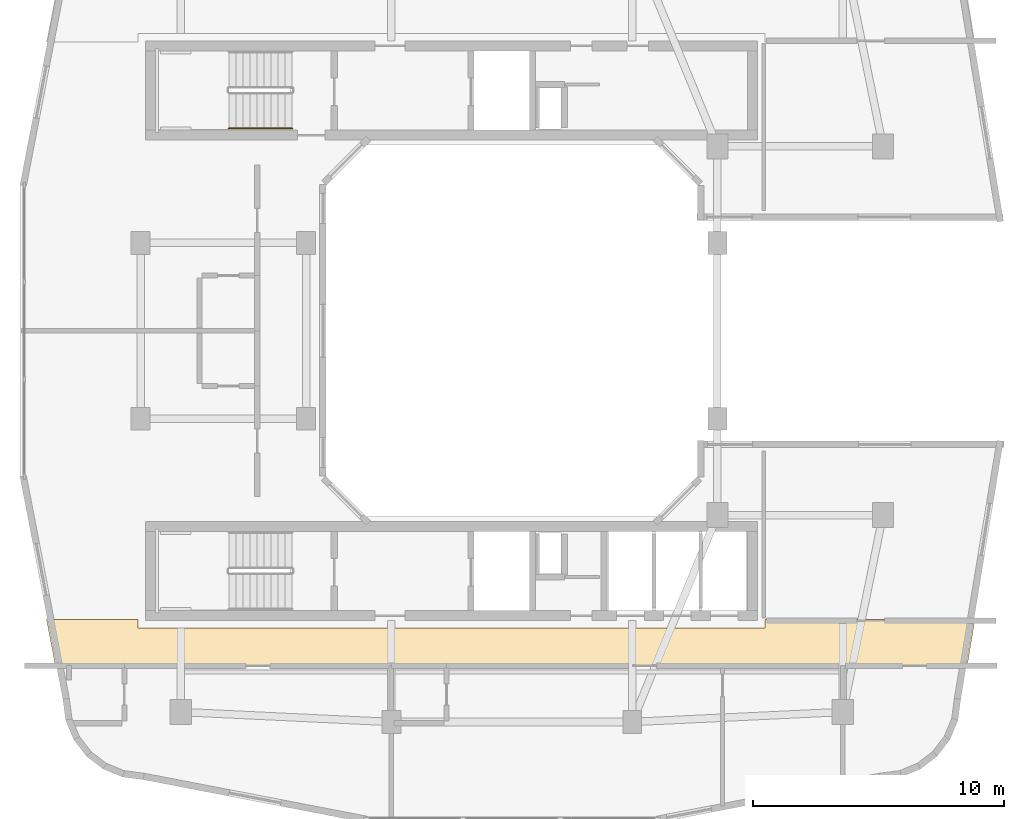
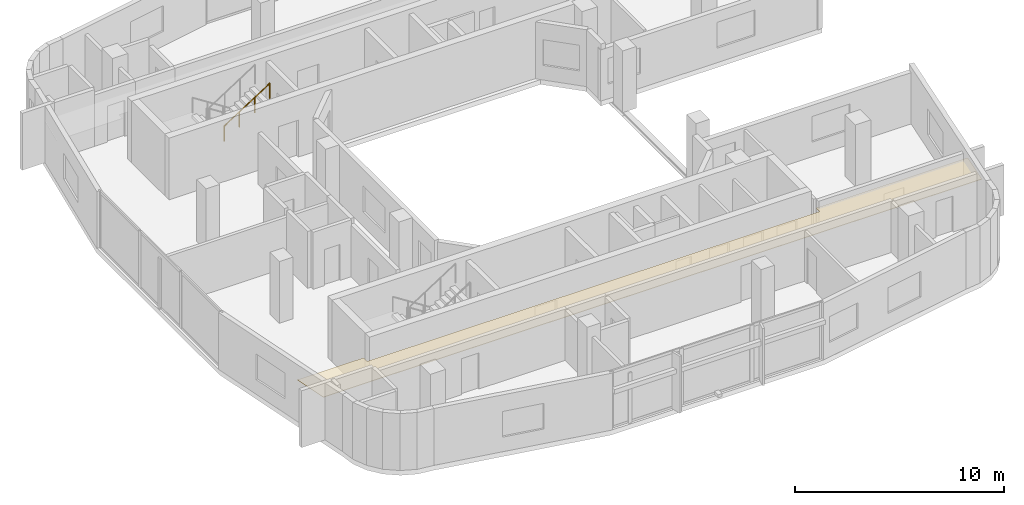
# One storey, part 10 of 12: 1 covering, 1 railing.
"""IFC4 building model written with IfcOpenShell, lengths in metres."""

from ifc_helpers import new_model, si_unit, derived_unit, direction, frame, origin, origin_2d, place, context, subcontext, project, spatial, polyline, circle, outline, extrude, material, layer, layer_set, type_object, element, save


model = new_model("IFC4")

# Units and contexts
model_context = context("Model", 3, precision=1e-05, world=origin(), true_north=direction((0.0, 1.0)))
body_context = subcontext(model_context, "Body", "Model", "MODEL_VIEW")
ifc_project = project(units=[si_unit("LENGTHUNIT", "METRE"), si_unit("AREAUNIT", "SQUARE_METRE"), si_unit("VOLUMEUNIT", "CUBIC_METRE"), si_unit("PLANEANGLEUNIT", "RADIAN"), si_unit("MASSUNIT", "GRAM", prefix="KILO"), derived_unit("THERMALTRANSMITTANCEUNIT", [(si_unit("POWERUNIT", "WATT"), 1), (si_unit("LENGTHUNIT", "METRE"), -2), (si_unit("THERMODYNAMICTEMPERATUREUNIT", "KELVIN"), -1)])], contexts=[model_context])

# Site, building, storey
site_placement = place(None, origin())
site = spatial("IfcSite", under=ifc_project, at=site_placement, CompositionType="ELEMENT")
building_placement = place(site_placement, origin())
building = spatial("IfcBuilding", under=site, at=building_placement, Name="Kivonza Crest Hotel", CompositionType="ELEMENT")
storey_placement = place(building_placement, frame((0.0, 0.0, 191.89990234375)))
storey = spatial("IfcBuildingStorey", under=building, at=storey_placement, Name="L52", CompositionType="ELEMENT", Elevation=191.89990234375)

# Covering
ifc_material_1 = material(Name="Moisture-resistant gypsum plasterboard ceiling", Category="gypsum")
ifc_layer = layer(ifc_material_1, 0.030029296875)
ifc_layer_set = layer_set([ifc_layer], Name="Moisture-resistant gypsum plasterboard ceiling")
covering_type = type_object("IfcCoveringType", Name="CV-CEIL-GYP", PredefinedType="CEILING", material=ifc_layer_set)
covering_placement = place(storey_placement, frame((0.0, 0.0, 2.4501953125)))
element("IfcCovering", 1, at=covering_placement, inside=storey, type_object=covering_type, Name="L52 Hotel South Guest Corridor suspended ceiling", PredefinedType="CEILING", context=body_context, shape_type="SweptSolid", body=[
    extrude(outline(polyline([(2.447021484375, 13.47998046875), (2.806884765625, 11.610107421875), (39.156982421875, 11.610107421875), (39.465087890625, 13.47998046875), (31.10009765625, 13.47998046875), (31.10009765625, 13.139892578125), (6.10009765625, 13.139892578125), (6.10009765625, 13.47998046875), (2.447021484375, 13.47998046875)])), origin(), (0.0, 0.0, 1.0), 0.02978515625),
])

# Railing
ifc_material_2 = material(Name="Brushed stainless steel handrail", Category="steel")
railing_type = type_object("IfcRailingType", Name="RL-HAND-900", PredefinedType="HANDRAIL", material=ifc_material_2)
railing_placement = place(storey_placement, frame((9.719970703125, 33.070068359375, 1.97998046875)))
element("IfcRailing", 2, at=railing_placement, inside=storey, type_object=railing_type, Name="L52 ST-T1-N stair handrail 2", PredefinedType="HANDRAIL", context=body_context, shape_type="SweptSolid", body=[
    extrude(circle(Radius=0.02392578125, at=origin_2d()), frame((0.0, 0.0, 0.8759765625), z_axis=(0.841162588446, 0.0, 0.540782303519), x_axis=(0.0, 1.0, 0.0)), (0.0, 0.0, 1.0), 2.995849609375),
    extrude(circle(Radius=0.02099609375, at=origin_2d()), origin(), (0.0, 0.0, 1.0), 0.851806640625),
    extrude(circle(Radius=0.02099609375, at=origin_2d()), frame((0.840087890625, 0.0, 0.5400390625)), (0.0, 0.0, 1.0), 0.851806640625),
    extrude(circle(Radius=0.02099609375, at=origin_2d()), frame((1.679931640625, 0.0, 1.080078125)), (0.0, 0.0, 1.0), 0.851806640625),
    extrude(circle(Radius=0.02099609375, at=origin_2d()), frame((2.52001953125, 0.0, 1.6201171875)), (0.0, 0.0, 1.0), 0.851806640625),
])

save(model, "model.ifc")
